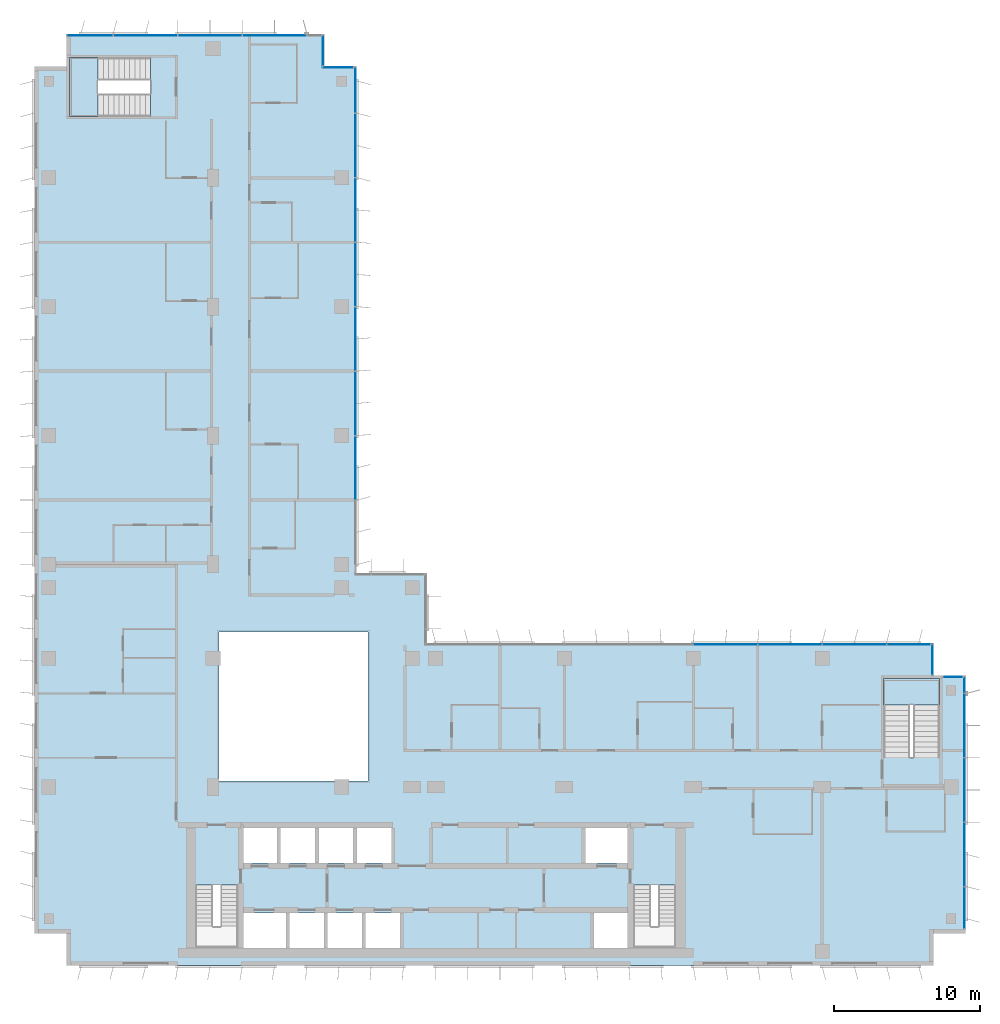
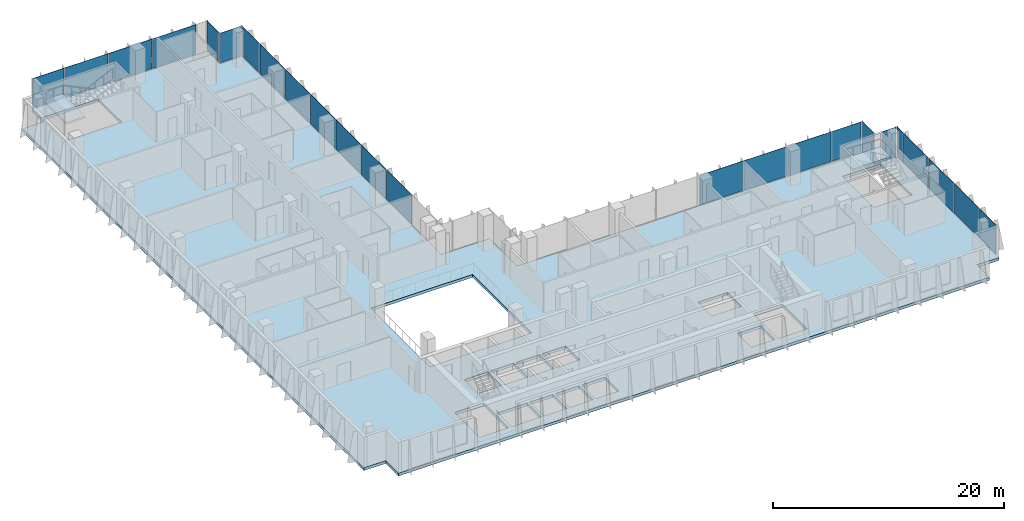
# One storey, part 11 of 20: 24 plates, 3 slabs, 10 elements without a shape of their own.
"""IFC4 building model written with IfcOpenShell, lengths in metres."""

from ifc_helpers import new_model, si_unit, direction, frame, origin, origin_2d, place, context, subcontext, project, spatial, polyline, rectangle, outline, extrude, source, transform, mapped, material, layer, layer_set, type_object, element, aggregate, save


model = new_model("IFC4")

# Units and contexts
model_context = context("Model", 3, precision=1e-05, world=origin(), true_north=direction((0.0, 1.0)))
body_context = subcontext(model_context, "Body", "Model", "MODEL_VIEW")
ifc_project = project(units=[si_unit("LENGTHUNIT", "METRE"), si_unit("AREAUNIT", "SQUARE_METRE"), si_unit("VOLUMEUNIT", "CUBIC_METRE"), si_unit("PLANEANGLEUNIT", "RADIAN"), si_unit("MASSUNIT", "GRAM", prefix="KILO")], contexts=[model_context])

# Site, building, storey
site_placement = place(None, origin())
site = spatial("IfcSite", under=ifc_project, at=site_placement, CompositionType="ELEMENT")
building_placement = place(site_placement, origin())
building = spatial("IfcBuilding", under=site, at=building_placement, Name="Kemantara Hotel Tower", CompositionType="ELEMENT")
storey_placement = place(building_placement, frame((0.0, 0.0, 190.10009765625)))
storey = spatial("IfcBuildingStorey", under=building, at=storey_placement, Name="L47", CompositionType="ELEMENT", Elevation=190.10009765625)

# Slab
ifc_material_1 = material(Name="Concrete fc 40 MPa", Category="concrete")
ifc_layer_1 = layer(ifc_material_1, 0.300048828125)
ifc_layer_set_1 = layer_set([ifc_layer_1], Name="Concrete fc 40 MPa")
slab_type_1 = type_object("IfcSlabType", Name="POST-TENSIONED FLAT PLATE 300", PredefinedType="FLOOR", material=ifc_layer_set_1)
slab_1_placement = place(storey_placement, frame((0.0, 0.0, -0.300048828125)))
element("IfcSlab", 1, at=slab_1_placement, inside=storey, type_object=slab_type_1, Name="FLOOR SLAB L47", PredefinedType="FLOOR", context=body_context, shape_type="SweptSolid", body=[
    extrude(outline(polyline([(22.0, 26.800048828125), (22.0, 61.39990234375), (19.800048828125, 61.39990234375), (19.800048828125, 63.60009765625), (2.199951171875, 63.60009765625), (2.199951171875, 61.39990234375), (0.0, 61.39990234375), (0.0, 2.199951171875), (2.199951171875, 2.199951171875), (2.199951171875, 0.0), (61.39990234375, 0.0), (61.39990234375, 2.199951171875), (63.60009765625, 2.199951171875), (63.60009765625, 19.800048828125), (61.39990234375, 19.800048828125), (61.39990234375, 22.0), (26.800048828125, 22.0), (26.800048828125, 26.800048828125), (22.0, 26.800048828125)]), holes=[polyline([(17.175048828125, 3.60009765625), (17.175048828125, 1.199951171875), (14.22509765625, 1.199951171875), (14.22509765625, 3.60009765625), (17.175048828125, 3.60009765625)]), polyline([(19.77490234375, 1.199951171875), (17.425048828125, 1.199951171875), (17.425048828125, 3.60009765625), (19.77490234375, 3.60009765625), (19.77490234375, 1.199951171875)]), polyline([(11.0, 1.199951171875), (11.0, 5.49951171875), (13.89990234375, 5.49951171875), (13.89990234375, 1.199951171875), (11.0, 1.199951171875)]), polyline([(16.574951171875, 7.0), (14.22509765625, 7.0), (14.22509765625, 9.39990234375), (16.574951171875, 9.39990234375), (16.574951171875, 7.0)]), polyline([(19.175048828125, 7.0), (16.824951171875, 7.0), (16.824951171875, 9.39990234375), (19.175048828125, 9.39990234375), (19.175048828125, 7.0)]), polyline([(21.77490234375, 7.0), (19.425048828125, 7.0), (19.425048828125, 9.39990234375), (21.77490234375, 9.39990234375), (21.77490234375, 7.0)]), polyline([(22.800048828125, 12.60009765625), (12.60009765625, 12.60009765625), (12.60009765625, 22.800048828125), (22.800048828125, 22.800048828125), (22.800048828125, 12.60009765625)]), polyline([(2.39990234375, 62.0), (7.949462890625, 62.0), (7.949462890625, 58.0), (2.39990234375, 58.0), (2.39990234375, 62.0)]), polyline([(22.375, 1.199951171875), (20.02490234375, 1.199951171875), (20.02490234375, 3.60009765625), (22.375, 3.60009765625), (22.375, 1.199951171875)]), polyline([(24.97509765625, 1.199951171875), (22.625, 1.199951171875), (22.625, 3.60009765625), (24.97509765625, 3.60009765625), (24.97509765625, 1.199951171875)]), polyline([(40.574951171875, 1.199951171875), (38.22509765625, 1.199951171875), (38.22509765625, 3.60009765625), (40.574951171875, 3.60009765625), (40.574951171875, 1.199951171875)]), polyline([(40.89990234375, 1.199951171875), (40.89990234375, 5.49951171875), (43.800048828125, 5.49951171875), (43.800048828125, 1.199951171875), (40.89990234375, 1.199951171875)]), polyline([(24.375, 7.0), (22.02490234375, 7.0), (22.02490234375, 9.39990234375), (24.375, 9.39990234375), (24.375, 7.0)]), polyline([(40.574951171875, 7.0), (37.625, 7.0), (37.625, 9.39990234375), (40.574951171875, 9.39990234375), (40.574951171875, 7.0)]), polyline([(61.800048828125, 19.60009765625), (61.800048828125, 14.20068359375), (58.0, 14.20068359375), (58.0, 19.60009765625), (61.800048828125, 19.60009765625)])]), origin(), (0.0, 0.0, 1.0), 0.300048828125),
])

# Stair, slab
stair_type_1 = type_object("IfcStairType", Name="Stair 1800 wide 22 risers of 168 x 360 mm", PredefinedType="HALF_TURN_STAIR", material=ifc_material_1)
stair_1_placement = place(storey_placement, origin())
stair_1 = element("IfcStair", 2, at=stair_1_placement, inside=storey, type_object=stair_type_1, Name="L47 Exit stair ST3", PredefinedType="HALF_TURN_STAIR")
ifc_layer_2 = layer(ifc_material_1, 0.199951171875)
ifc_layer_set_2 = layer_set([ifc_layer_2], Name="Concrete fc 40 MPa")
slab_type_2 = type_object("IfcSlabType", Name="Stair landing 200 mm", PredefinedType="LANDING", material=ifc_layer_set_2)
slab_2_placement = place(storey_placement, frame((0.0, 0.0, 1.64990234375)))
slab_2 = element("IfcSlab", 3, at=slab_2_placement, type_object=slab_type_2, Name="ST3 landing 1", PredefinedType="LANDING", context=body_context, shape_type="SweptSolid", body=[
    extrude(outline(polyline([(61.800048828125, 17.800048828125), (61.800048828125, 19.60009765625), (58.0, 19.60009765625), (58.0, 17.800048828125), (61.800048828125, 17.800048828125)])), origin(), (0.0, 0.0, 1.0), 0.199951171875),
])
aggregate(stair_1, [slab_2])

stair_type_2 = type_object("IfcStairType", Name="Stair 1550 wide 22 risers of 168 x 360 mm", PredefinedType="HALF_TURN_STAIR", material=ifc_material_1)
stair_2_placement = place(storey_placement, origin())
stair_2 = element("IfcStair", 4, at=stair_2_placement, inside=storey, type_object=stair_type_2, Name="L47 Exit stair ST4", PredefinedType="HALF_TURN_STAIR")
slab_3_placement = place(storey_placement, frame((0.0, 0.0, 1.64990234375)))
slab_3 = element("IfcSlab", 5, at=slab_3_placement, type_object=slab_type_2, Name="ST4 landing 1", PredefinedType="LANDING", context=body_context, shape_type="SweptSolid", body=[
    extrude(outline(polyline([(4.35009765625, 62.0), (2.39990234375, 62.0), (2.39990234375, 58.0), (4.35009765625, 58.0), (4.35009765625, 62.0)])), origin(), (0.0, 0.0, 1.0), 0.199951171875),
])
aggregate(stair_2, [slab_3])

# Curtain wall, plate
ifc_material_2 = material(Name="Low-E tinted double insulated glass 36 mm", Category="glass")
curtain_wall_type = type_object("IfcCurtainWallType", Name="TOWER CURTAIN WALL, FRONT FACES", PredefinedType="USERDEFINED", material=ifc_material_2)
curtain_wall_1_placement = place(storey_placement, origin())
curtain_wall_1 = element("IfcCurtainWall", 6, at=curtain_wall_1_placement, inside=storey, type_object=curtain_wall_type, Name="CW4 L47 T3-R11-1", ObjectType="TOWER CURTAIN WALL, FRONT FACES", PredefinedType="USERDEFINED")
ifc_layer_3 = layer(ifc_material_2, 0.035888671875)
ifc_layer_set_3 = layer_set([ifc_layer_3], Name="Low-E tinted double insulated glass 36 mm")
plate_type = type_object("IfcPlateType", Name="TOWER CURTAIN WALL, FRONT FACES PANEL", PredefinedType="CURTAIN_PANEL", material=ifc_layer_set_3)
shared_shape_1 = source(origin(), body_context, "Body", "SweptSolid", [
    extrude(rectangle(XDim=2.81005859375, YDim=0.035888671875, at=origin_2d()), origin(), (0.0, 0.0, 1.0), 3.1298828125),
])
plate_1_placement = place(storey_placement, frame((63.52490234375, 3.965087890625, 0.119873046875), z_axis=(0.0, 0.0, 1.0), x_axis=(0.0, 1.0, 0.0)))
plate_1 = element("IfcPlate", 7, at=plate_1_placement, type_object=plate_type, Name="CW4 glass panel T3-R11-1.1", PredefinedType="CURTAIN_PANEL", context=body_context, shape_type="MappedRepresentation", body=[
    mapped(shared_shape_1, transform((0.0, 0.0, 0.0))),
])

# Curtain wall, plates
curtain_wall_2_placement = place(storey_placement, origin())
curtain_wall_2 = element("IfcCurtainWall", 8, at=curtain_wall_2_placement, inside=storey, type_object=curtain_wall_type, Name="CW4 L47 T3-R02-1", ObjectType="TOWER CURTAIN WALL, FRONT FACES", PredefinedType="USERDEFINED")
shared_shape_2 = source(origin(), body_context, "Body", "SweptSolid", [
    extrude(rectangle(XDim=4.340087890625, YDim=0.035888671875, at=origin_2d()), origin(), (0.0, 0.0, 1.0), 3.1298828125),
])
plate_2_placement = place(storey_placement, frame((16.39990234375, 63.52490234375, 0.119873046875), z_axis=(0.0, 0.0, 1.0), x_axis=(-1.0, 0.0, 0.0)))
plate_2 = element("IfcPlate", 9, at=plate_2_placement, type_object=plate_type, Name="CW4 glass panel T3-R02-1.2", PredefinedType="CURTAIN_PANEL", context=body_context, shape_type="MappedRepresentation", body=[
    mapped(shared_shape_2, transform((0.0, 0.0, 0.0))),
])
plate_3_placement = place(storey_placement, frame((12.0, 63.52490234375, 0.119873046875), z_axis=(0.0, 0.0, 1.0), x_axis=(-1.0, 0.0, 0.0)))
plate_3 = element("IfcPlate", 10, at=plate_3_placement, type_object=plate_type, Name="CW4 glass panel T3-R02-1.3", PredefinedType="CURTAIN_PANEL", context=body_context, shape_type="MappedRepresentation", body=[
    mapped(shared_shape_2, transform((0.0, 0.0, 0.0))),
])
plate_4_placement = place(storey_placement, frame((7.60009765625, 63.52490234375, 0.119873046875), z_axis=(0.0, 0.0, 1.0), x_axis=(-1.0, 0.0, 0.0)))
plate_4 = element("IfcPlate", 11, at=plate_4_placement, type_object=plate_type, Name="CW4 glass panel T3-R02-1.4", PredefinedType="CURTAIN_PANEL", context=body_context, shape_type="MappedRepresentation", body=[
    mapped(shared_shape_2, transform((0.0, 0.0, 0.0))),
])

# Plate
plate_5_placement = place(storey_placement, frame((63.52490234375, 7.60009765625, 0.119873046875), z_axis=(0.0, 0.0, 1.0), x_axis=(0.0, 1.0, 0.0)))
plate_5 = element("IfcPlate", 12, at=plate_5_placement, type_object=plate_type, Name="CW4 glass panel T3-R11-1.2", PredefinedType="CURTAIN_PANEL", context=body_context, shape_type="MappedRepresentation", body=[
    mapped(shared_shape_2, transform((0.0, 0.0, 0.0))),
])

plate_6_placement = place(storey_placement, frame((63.52490234375, 12.0, 0.119873046875), z_axis=(0.0, 0.0, 1.0), x_axis=(0.0, 1.0, 0.0)))
plate_6 = element("IfcPlate", 13, at=plate_6_placement, type_object=plate_type, Name="CW4 glass panel T3-R11-1.3", PredefinedType="CURTAIN_PANEL", context=body_context, shape_type="MappedRepresentation", body=[
    mapped(shared_shape_2, transform((0.0, 0.0, 0.0))),
])

plate_7_placement = place(storey_placement, frame((63.52490234375, 16.39990234375, 0.119873046875), z_axis=(0.0, 0.0, 1.0), x_axis=(0.0, 1.0, 0.0)))
plate_7 = element("IfcPlate", 14, at=plate_7_placement, type_object=plate_type, Name="CW4 glass panel T3-R11-1.4", PredefinedType="CURTAIN_PANEL", context=body_context, shape_type="MappedRepresentation", body=[
    mapped(shared_shape_2, transform((0.0, 0.0, 0.0))),
])

# Curtain wall, plates
curtain_wall_3_placement = place(storey_placement, origin())
curtain_wall_3 = element("IfcCurtainWall", 15, at=curtain_wall_3_placement, inside=storey, type_object=curtain_wall_type, Name="CW4 L47 T3-R14-1", ObjectType="TOWER CURTAIN WALL, FRONT FACES", PredefinedType="USERDEFINED")
plate_8_placement = place(storey_placement, frame((56.0, 21.925048828125, 0.119873046875), z_axis=(0.0, 0.0, 1.0), x_axis=(-1.0, 0.0, 0.0)))
plate_8 = element("IfcPlate", 16, at=plate_8_placement, type_object=plate_type, Name="CW4 glass panel T3-R14-1.2", PredefinedType="CURTAIN_PANEL", context=body_context, shape_type="MappedRepresentation", body=[
    mapped(shared_shape_2, transform((0.0, 0.0, 0.0))),
])
plate_9_placement = place(storey_placement, frame((51.60009765625, 21.925048828125, 0.119873046875), z_axis=(0.0, 0.0, 1.0), x_axis=(-1.0, 0.0, 0.0)))
plate_9 = element("IfcPlate", 17, at=plate_9_placement, type_object=plate_type, Name="CW4 glass panel T3-R14-1.3", PredefinedType="CURTAIN_PANEL", context=body_context, shape_type="MappedRepresentation", body=[
    mapped(shared_shape_2, transform((0.0, 0.0, 0.0))),
])
plate_10_placement = place(storey_placement, frame((47.199951171875, 21.925048828125, 0.119873046875), z_axis=(0.0, 0.0, 1.0), x_axis=(-1.0, 0.0, 0.0)))
plate_10 = element("IfcPlate", 18, at=plate_10_placement, type_object=plate_type, Name="CW4 glass panel T3-R14-1.4", PredefinedType="CURTAIN_PANEL", context=body_context, shape_type="MappedRepresentation", body=[
    mapped(shared_shape_2, transform((0.0, 0.0, 0.0))),
])

curtain_wall_4_placement = place(storey_placement, origin())
curtain_wall_4 = element("IfcCurtainWall", 19, at=curtain_wall_4_placement, inside=storey, type_object=curtain_wall_type, Name="CW4 L47 T3-R17-1", ObjectType="TOWER CURTAIN WALL, FRONT FACES", PredefinedType="USERDEFINED")
plate_11_placement = place(storey_placement, frame((21.925048828125, 34.0, 0.119873046875), z_axis=(0.0, 0.0, 1.0), x_axis=(0.0, 1.0, 0.0)))
plate_11 = element("IfcPlate", 20, at=plate_11_placement, type_object=plate_type, Name="CW4 glass panel T3-R17-1.3", PredefinedType="CURTAIN_PANEL", context=body_context, shape_type="MappedRepresentation", body=[
    mapped(shared_shape_2, transform((0.0, 0.0, 0.0))),
])
plate_12_placement = place(storey_placement, frame((21.925048828125, 38.39990234375, 0.119873046875), z_axis=(0.0, 0.0, 1.0), x_axis=(0.0, 1.0, 0.0)))
plate_12 = element("IfcPlate", 21, at=plate_12_placement, type_object=plate_type, Name="CW4 glass panel T3-R17-1.4", PredefinedType="CURTAIN_PANEL", context=body_context, shape_type="MappedRepresentation", body=[
    mapped(shared_shape_2, transform((0.0, 0.0, 0.0))),
])
plate_13_placement = place(storey_placement, frame((21.925048828125, 42.800048828125, 0.119873046875), z_axis=(0.0, 0.0, 1.0), x_axis=(0.0, 1.0, 0.0)))
plate_13 = element("IfcPlate", 22, at=plate_13_placement, type_object=plate_type, Name="CW4 glass panel T3-R17-1.5", PredefinedType="CURTAIN_PANEL", context=body_context, shape_type="MappedRepresentation", body=[
    mapped(shared_shape_2, transform((0.0, 0.0, 0.0))),
])
plate_14_placement = place(storey_placement, frame((21.925048828125, 47.199951171875, 0.119873046875), z_axis=(0.0, 0.0, 1.0), x_axis=(0.0, 1.0, 0.0)))
plate_14 = element("IfcPlate", 23, at=plate_14_placement, type_object=plate_type, Name="CW4 glass panel T3-R17-1.6", PredefinedType="CURTAIN_PANEL", context=body_context, shape_type="MappedRepresentation", body=[
    mapped(shared_shape_2, transform((0.0, 0.0, 0.0))),
])
plate_15_placement = place(storey_placement, frame((21.925048828125, 51.60009765625, 0.119873046875), z_axis=(0.0, 0.0, 1.0), x_axis=(0.0, 1.0, 0.0)))
plate_15 = element("IfcPlate", 24, at=plate_15_placement, type_object=plate_type, Name="CW4 glass panel T3-R17-1.7", PredefinedType="CURTAIN_PANEL", context=body_context, shape_type="MappedRepresentation", body=[
    mapped(shared_shape_2, transform((0.0, 0.0, 0.0))),
])
plate_16_placement = place(storey_placement, frame((21.925048828125, 56.0, 0.119873046875), z_axis=(0.0, 0.0, 1.0), x_axis=(0.0, 1.0, 0.0)))
plate_16 = element("IfcPlate", 25, at=plate_16_placement, type_object=plate_type, Name="CW4 glass panel T3-R17-1.8", PredefinedType="CURTAIN_PANEL", context=body_context, shape_type="MappedRepresentation", body=[
    mapped(shared_shape_2, transform((0.0, 0.0, 0.0))),
])

# Plate
shared_shape_3 = source(origin(), body_context, "Body", "SweptSolid", [
    extrude(rectangle(XDim=2.9599609375, YDim=0.035888671875, at=origin_2d()), origin(), (0.0, 0.0, 1.0), 3.1298828125),
])
plate_17_placement = place(storey_placement, frame((59.7099609375, 21.925048828125, 0.119873046875), z_axis=(0.0, 0.0, 1.0), x_axis=(-1.0, 0.0, 0.0)))
plate_17 = element("IfcPlate", 26, at=plate_17_placement, type_object=plate_type, Name="CW4 glass panel T3-R14-1.1", PredefinedType="CURTAIN_PANEL", context=body_context, shape_type="MappedRepresentation", body=[
    mapped(shared_shape_3, transform((0.0, 0.0, 0.0))),
])

aggregate(curtain_wall_3, [plate_17, plate_8, plate_9, plate_10])

shared_shape_4 = source(origin(), body_context, "Body", "SweptSolid", [
    extrude(rectangle(XDim=3.110107421875, YDim=0.035888671875, at=origin_2d()), origin(), (0.0, 0.0, 1.0), 3.1298828125),
])
plate_18_placement = place(storey_placement, frame((3.81494140625, 63.52490234375, 0.119873046875), z_axis=(0.0, 0.0, 1.0), x_axis=(-1.0, 0.0, 0.0)))
plate_18 = element("IfcPlate", 27, at=plate_18_placement, type_object=plate_type, Name="CW4 glass panel T3-R02-1.5", PredefinedType="CURTAIN_PANEL", context=body_context, shape_type="MappedRepresentation", body=[
    mapped(shared_shape_4, transform((0.0, 0.0, 0.0))),
])

aggregate(curtain_wall_2, [plate_2, plate_3, plate_4, plate_18])

plate_19_placement = place(storey_placement, frame((21.925048828125, 59.784912109375, 0.119873046875), z_axis=(0.0, 0.0, 1.0), x_axis=(0.0, 1.0, 0.0)))
plate_19 = element("IfcPlate", 28, at=plate_19_placement, type_object=plate_type, Name="CW4 glass panel T3-R17-1.9", PredefinedType="CURTAIN_PANEL", context=body_context, shape_type="MappedRepresentation", body=[
    mapped(shared_shape_4, transform((0.0, 0.0, 0.0))),
])

aggregate(curtain_wall_4, [plate_11, plate_12, plate_13, plate_14, plate_15, plate_16, plate_19])

# Curtain wall, plate
curtain_wall_5_placement = place(storey_placement, origin())
curtain_wall_5 = element("IfcCurtainWall", 29, at=curtain_wall_5_placement, inside=storey, type_object=curtain_wall_type, Name="CW4 L47 T3-R00-1", ObjectType="TOWER CURTAIN WALL, FRONT FACES", PredefinedType="USERDEFINED")
shared_shape_5 = source(origin(), body_context, "Body", "SweptSolid", [
    extrude(rectangle(XDim=2.080078125, YDim=0.035888671875, at=origin_2d()), origin(), (0.0, 0.0, 1.0), 3.1298828125),
])
plate_20_placement = place(storey_placement, frame((20.75, 61.324951171875, 0.119873046875), z_axis=(0.0, 0.0, 1.0), x_axis=(-1.0, 0.0, 0.0)))
plate_20 = element("IfcPlate", 30, at=plate_20_placement, type_object=plate_type, Name="CW4 glass panel T3-R00-1.1", PredefinedType="CURTAIN_PANEL", context=body_context, shape_type="MappedRepresentation", body=[
    mapped(shared_shape_5, transform((0.0, 0.0, 0.0))),
])
aggregate(curtain_wall_5, [plate_20])

curtain_wall_6_placement = place(storey_placement, origin())
curtain_wall_6 = element("IfcCurtainWall", 31, at=curtain_wall_6_placement, inside=storey, type_object=curtain_wall_type, Name="CW4 L47 T3-R01-1", ObjectType="TOWER CURTAIN WALL, FRONT FACES", PredefinedType="USERDEFINED")
plate_21_placement = place(storey_placement, frame((19.72509765625, 62.5, 0.119873046875), z_axis=(0.0, 0.0, 1.0), x_axis=(0.0, 1.0, 0.0)))
plate_21 = element("IfcPlate", 32, at=plate_21_placement, type_object=plate_type, Name="CW4 glass panel T3-R01-1.1", PredefinedType="CURTAIN_PANEL", context=body_context, shape_type="MappedRepresentation", body=[
    mapped(shared_shape_5, transform((0.0, 0.0, 0.0))),
])
aggregate(curtain_wall_6, [plate_21])

curtain_wall_7_placement = place(storey_placement, origin())
curtain_wall_7 = element("IfcCurtainWall", 33, at=curtain_wall_7_placement, inside=storey, type_object=curtain_wall_type, Name="CW4 L47 T3-R13-1", ObjectType="TOWER CURTAIN WALL, FRONT FACES", PredefinedType="USERDEFINED")
plate_22_placement = place(storey_placement, frame((61.324951171875, 20.89990234375, 0.119873046875), z_axis=(0.0, 0.0, 1.0), x_axis=(0.0, 1.0, 0.0)))
plate_22 = element("IfcPlate", 34, at=plate_22_placement, type_object=plate_type, Name="CW4 glass panel T3-R13-1.1", PredefinedType="CURTAIN_PANEL", context=body_context, shape_type="MappedRepresentation", body=[
    mapped(shared_shape_5, transform((0.0, 0.0, 0.0))),
])
aggregate(curtain_wall_7, [plate_22])

# Plate
shared_shape_6 = source(origin(), body_context, "Body", "SweptSolid", [
    extrude(rectangle(XDim=1.110107421875, YDim=0.035888671875, at=origin_2d()), origin(), (0.0, 0.0, 1.0), 3.1298828125),
])
plate_23_placement = place(storey_placement, frame((63.52490234375, 19.18505859375, 0.119873046875), z_axis=(0.0, 0.0, 1.0), x_axis=(0.0, 1.0, 0.0)))
plate_23 = element("IfcPlate", 35, at=plate_23_placement, type_object=plate_type, Name="CW4 glass panel T3-R11-1.5", PredefinedType="CURTAIN_PANEL", context=body_context, shape_type="MappedRepresentation", body=[
    mapped(shared_shape_6, transform((0.0, 0.0, 0.0))),
])

aggregate(curtain_wall_1, [plate_1, plate_5, plate_6, plate_7, plate_23])

# Curtain wall, plate
curtain_wall_8_placement = place(storey_placement, origin())
curtain_wall_8 = element("IfcCurtainWall", 36, at=curtain_wall_8_placement, inside=storey, type_object=curtain_wall_type, Name="CW4 L47 T3-R12-1", ObjectType="TOWER CURTAIN WALL, FRONT FACES", PredefinedType="USERDEFINED")
shared_shape_7 = source(origin(), body_context, "Body", "SweptSolid", [
    extrude(rectangle(XDim=1.330078125, YDim=0.035888671875, at=origin_2d()), origin(), (0.0, 0.0, 1.0), 3.1298828125),
])
plate_24_placement = place(storey_placement, frame((62.72509765625, 19.72509765625, 0.119873046875), z_axis=(0.0, 0.0, 1.0), x_axis=(-1.0, 0.0, 0.0)))
plate_24 = element("IfcPlate", 37, at=plate_24_placement, type_object=plate_type, Name="CW4 glass panel T3-R12-1.1", PredefinedType="CURTAIN_PANEL", context=body_context, shape_type="MappedRepresentation", body=[
    mapped(shared_shape_7, transform((0.0, 0.0, 0.0))),
])
aggregate(curtain_wall_8, [plate_24])

save(model, "model.ifc")
